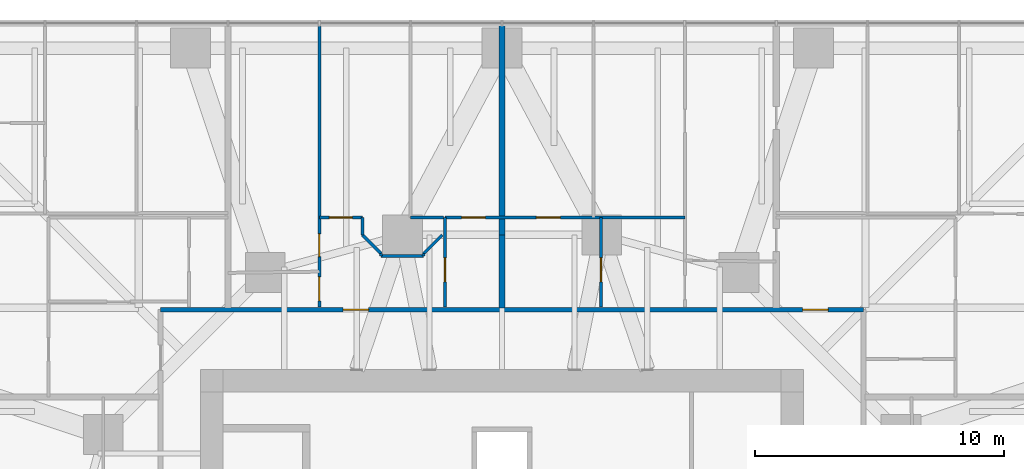
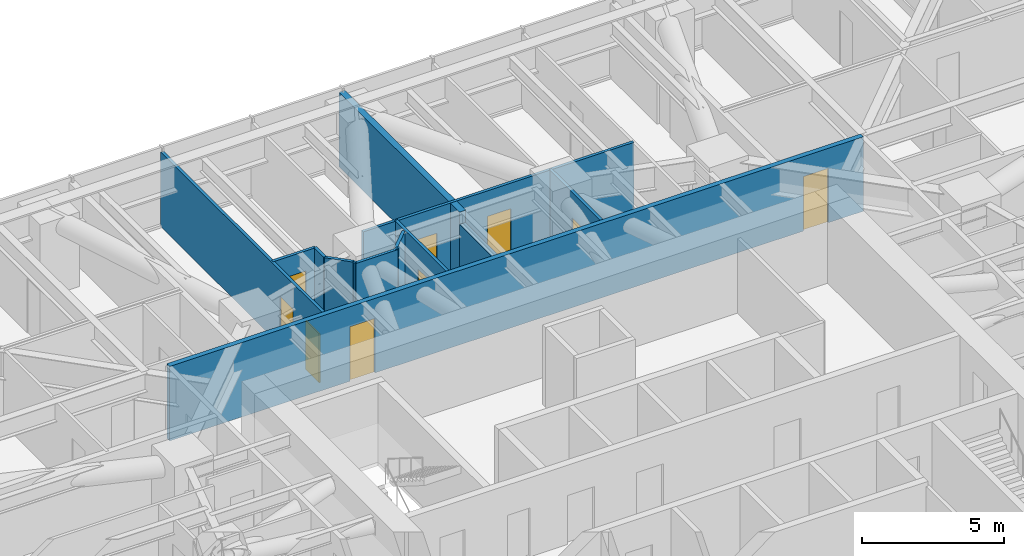
# One storey, part 14 of 17: 15 walls, 9 doors, 9 openings.
"""IFC4 building model written with IfcOpenShell, lengths in metres."""

from ifc_helpers import new_model, si_unit, direction, frame, frame_2d, origin, place, context, subcontext, project, spatial, rectangle, extrude, material, layer, layer_set, type_object, element, fill, save


model = new_model("IFC4")

# Units and contexts
model_context = context("Model", 3, precision=1e-05, world=origin(), true_north=direction((0.0, 1.0)))
body_context = subcontext(model_context, "Body", "Model", "MODEL_VIEW")
ifc_project = project(units=[si_unit("LENGTHUNIT", "METRE"), si_unit("AREAUNIT", "SQUARE_METRE"), si_unit("VOLUMEUNIT", "CUBIC_METRE"), si_unit("PLANEANGLEUNIT", "RADIAN"), si_unit("MASSUNIT", "GRAM", prefix="KILO")], contexts=[model_context])

# Site, building, storey
site_placement = place(None, origin())
site = spatial("IfcSite", under=ifc_project, at=site_placement, CompositionType="ELEMENT")
building_placement = place(site_placement, origin())
building = spatial("IfcBuilding", under=site, at=building_placement, Name="Torsade Residences", CompositionType="ELEMENT")
storey_placement = place(building_placement, frame((0.0, 0.0, 38.800048828125)))
storey = spatial("IfcBuildingStorey", under=building, at=storey_placement, Name="L10", CompositionType="ELEMENT", Elevation=38.800048828125)

# Wall, openings, doors
ifc_material_1 = material(Name="Plasterboard on steel stud", Category="steel")
ifc_layer_1 = layer(ifc_material_1, 0.199951171875)
ifc_layer_set_1 = layer_set([ifc_layer_1], Name="Plasterboard on steel stud")
wall_type_1 = type_object("IfcWallType", Name="CORRIDOR WALL 200", PredefinedType="PARTITIONING", material=ifc_layer_set_1)
wall_1_placement = place(storey_placement, frame((54.5, 44.5, 0.0), z_axis=(0.0, 0.0, 1.0), x_axis=(-1.0, 0.0, 0.0)))
wall_1 = element("IfcWall", 1, at=wall_1_placement, inside=storey, type_object=wall_type_1, Name="Corridor wall L10", PredefinedType="PARTITIONING", context=body_context, shape_type="SweptSolid", body=[
    extrude(rectangle(XDim=28.199951171875, YDim=0.199951171875, at=frame_2d((14.10009765625, 0.0))), origin(), (0.0, 0.0, 1.0), 3.199951171875),
])
opening_1_placement = place(wall_1_placement, frame((19.8525390625, 0.0, 0.0)))
opening_1 = element("IfcOpeningElement", 2, at=opening_1_placement, cuts=wall_1, Name="Opening D01", PredefinedType="OPENING", context=body_context, shape_type="SweptSolid", body=[
    extrude(rectangle(XDim=1.02001953125, YDim=2.340087890625, at=frame_2d((0.510009765625, 1.169921875))), frame((0.0, 0.10986328125, 0.0), z_axis=(0.0, -1.0, 0.0), x_axis=(1.0, 0.0, 0.0)), (0.0, 0.0, 1.0), 0.219970703125),
])
opening_2_placement = place(wall_1_placement, frame((1.4150390625, 0.0, 0.0)))
opening_2 = element("IfcOpeningElement", 3, at=opening_2_placement, cuts=wall_1, Name="Opening D01", PredefinedType="OPENING", context=body_context, shape_type="SweptSolid", body=[
    extrude(rectangle(XDim=1.02001953125, YDim=2.340087890625, at=frame_2d((0.510009765625, 1.169921875))), frame((0.0, 0.10986328125, 0.0), z_axis=(0.0, -1.0, 0.0), x_axis=(1.0, 0.0, 0.0)), (0.0, 0.0, 1.0), 0.219970703125),
])
ifc_material_2 = material(Name="Solid-core timber fire door", Category="wood")
door_type_1 = type_object("IfcDoorType", Name="APARTMENT ENTRY DOOR 1020x2340", OperationType="NOTDEFINED", PredefinedType="DOOR", material=ifc_material_2)
door_1_placement = place(opening_1_placement, origin())
door_1 = element("IfcDoor", 4, at=door_1_placement, inside=storey, type_object=door_type_1, Name="Door Residential corridor to Kitchen and dining", OperationType="SINGLE_SWING_RIGHT", OverallHeight=2.340087890625, OverallWidth=1.02001953125, PredefinedType="DOOR", context=body_context, shape_type="SweptSolid", body=[
    extrude(rectangle(XDim=1.02001953125, YDim=2.340087890625, at=frame_2d((0.510009765625, 1.169921875))), frame((0.0, 0.02490234375, 0.0), z_axis=(0.0, -1.0, 0.0), x_axis=(1.0, 0.0, 0.0)), (0.0, 0.0, 1.0), 0.050048828125),
])
fill(opening_1, door_1)
door_2_placement = place(opening_2_placement, origin())
door_2 = element("IfcDoor", 5, at=door_2_placement, inside=storey, type_object=door_type_1, Name="Door Residential corridor to Kitchen and dining", OperationType="SINGLE_SWING_LEFT", OverallHeight=2.340087890625, OverallWidth=1.02001953125, PredefinedType="DOOR", context=body_context, shape_type="SweptSolid", body=[
    extrude(rectangle(XDim=1.02001953125, YDim=2.340087890625, at=frame_2d((0.510009765625, 1.169921875))), frame((0.0, 0.02490234375, 0.0), z_axis=(0.0, -1.0, 0.0), x_axis=(1.0, 0.0, 0.0)), (0.0, 0.0, 1.0), 0.050048828125),
])
fill(opening_2, door_2)

# Wall, opening, door
ifc_material_3 = material(Name="Plasterboard on steel stud", Category="steel")
ifc_layer_2 = layer(ifc_material_3, 0.1201171875)
ifc_layer_set_2 = layer_set([ifc_layer_2], Name="Plasterboard on steel stud")
wall_type_2 = type_object("IfcWallType", Name="PARTITION 120", PredefinedType="PARTITIONING", material=ifc_layer_set_2)
wall_2_placement = place(storey_placement, frame((43.97119140625, 48.199951171875, 0.0), z_axis=(0.0, 0.0, 1.0), x_axis=(0.0, -1.0, 0.0)))
wall_2 = element("IfcWall", 6, at=wall_2_placement, inside=storey, type_object=wall_type_2, Name="Partition L10", PredefinedType="PARTITIONING", context=body_context, shape_type="SweptSolid", body=[
    extrude(rectangle(XDim=3.599853515625, YDim=0.1201171875, at=frame_2d((1.7998046875, 0.0))), origin(), (0.0, 0.0, 1.0), 3.199951171875),
])
opening_3_placement = place(wall_2_placement, frame((1.6201171875, 0.0, 0.0)))
opening_3 = element("IfcOpeningElement", 7, at=opening_3_placement, cuts=wall_2, Name="Opening D05", PredefinedType="OPENING", context=body_context, shape_type="SweptSolid", body=[
    extrude(rectangle(XDim=0.9599609375, YDim=2.10009765625, at=frame_2d((0.47998046875, 1.050048828125))), frame((0.0, 0.070068359375, 0.0), z_axis=(0.0, -1.0, 0.0), x_axis=(1.0, 0.0, 0.0)), (0.0, 0.0, 1.0), 0.14013671875),
])
ifc_material_4 = material(Name="Hollow-core timber door in a steel cavity frame", Category="steel")
door_type_2 = type_object("IfcDoorType", Name="BATHROOM CAVITY SLIDING DOOR 960", OperationType="SLIDING_TO_LEFT", PredefinedType="DOOR", material=ifc_material_4)
door_3_placement = place(opening_3_placement, origin())
door_3 = element("IfcDoor", 8, at=door_3_placement, inside=storey, type_object=door_type_2, Name="Door Ensuite to Bathroom 2", OperationType="SLIDING_TO_LEFT", OverallHeight=2.10009765625, OverallWidth=0.9599609375, PredefinedType="DOOR", context=body_context, shape_type="SweptSolid", body=[
    extrude(rectangle(XDim=0.9599609375, YDim=2.10009765625, at=frame_2d((0.47998046875, 1.050048828125))), frame((0.0, 0.02490234375, 0.0), z_axis=(0.0, -1.0, 0.0), x_axis=(1.0, 0.0, 0.0)), (0.0, 0.0, 1.0), 0.050048828125),
])
fill(opening_3, door_3)

# Wall, openings, doors
wall_3_placement = place(storey_placement, frame((37.7080078125, 48.199951171875, 0.0), z_axis=(0.0, 0.0, 1.0), x_axis=(1.0, 0.0, 0.0)))
wall_3 = element("IfcWall", 9, at=wall_3_placement, inside=storey, type_object=wall_type_2, Name="Partition L10", PredefinedType="PARTITIONING", context=body_context, shape_type="SweptSolid", body=[
    extrude(rectangle(XDim=9.625244140625, YDim=0.1201171875, at=frame_2d((4.8125, 0.0))), origin(), (0.0, 0.0, 1.0), 3.199951171875),
])
opening_4_placement = place(wall_3_placement, frame((0.666015625, 0.0, 0.0)))
opening_4 = element("IfcOpeningElement", 10, at=opening_4_placement, cuts=wall_3, Name="Opening D05", PredefinedType="OPENING", context=body_context, shape_type="SweptSolid", body=[
    extrude(rectangle(XDim=0.9599609375, YDim=2.10009765625, at=frame_2d((0.47998046875, 1.050048828125))), frame((0.0, 0.070068359375, 0.0), z_axis=(0.0, -1.0, 0.0), x_axis=(1.0, 0.0, 0.0)), (0.0, 0.0, 1.0), 0.14013671875),
])
opening_5_placement = place(wall_3_placement, frame((3.67041015625, 0.0, 0.0)))
opening_5 = element("IfcOpeningElement", 11, at=opening_5_placement, cuts=wall_3, Name="Opening D05", PredefinedType="OPENING", context=body_context, shape_type="SweptSolid", body=[
    extrude(rectangle(XDim=0.9599609375, YDim=2.10009765625, at=frame_2d((0.47998046875, 1.050048828125))), frame((0.0, 0.070068359375, 0.0), z_axis=(0.0, -1.0, 0.0), x_axis=(1.0, 0.0, 0.0)), (0.0, 0.0, 1.0), 0.14013671875),
])
door_4_placement = place(opening_4_placement, origin())
door_4 = element("IfcDoor", 12, at=door_4_placement, inside=storey, type_object=door_type_2, Name="Door Ensuite to Living room", OperationType="SLIDING_TO_LEFT", OverallHeight=2.10009765625, OverallWidth=0.9599609375, PredefinedType="DOOR", context=body_context, shape_type="SweptSolid", body=[
    extrude(rectangle(XDim=0.9599609375, YDim=2.10009765625, at=frame_2d((0.47998046875, 1.050048828125))), frame((0.0, 0.02490234375, 0.0), z_axis=(0.0, -1.0, 0.0), x_axis=(1.0, 0.0, 0.0)), (0.0, 0.0, 1.0), 0.050048828125),
])
fill(opening_4, door_4)
door_5_placement = place(opening_5_placement, origin())
door_5 = element("IfcDoor", 13, at=door_5_placement, inside=storey, type_object=door_type_2, Name="Door Bathroom 2 to Bedroom 1 2", OperationType="SLIDING_TO_LEFT", OverallHeight=2.10009765625, OverallWidth=0.9599609375, PredefinedType="DOOR", context=body_context, shape_type="SweptSolid", body=[
    extrude(rectangle(XDim=0.9599609375, YDim=2.10009765625, at=frame_2d((0.47998046875, 1.050048828125))), frame((0.0, 0.02490234375, 0.0), z_axis=(0.0, -1.0, 0.0), x_axis=(1.0, 0.0, 0.0)), (0.0, 0.0, 1.0), 0.050048828125),
])
fill(opening_5, door_5)

wall_4_placement = place(storey_placement, frame((32.666748046875, 44.60009765625, 0.0), z_axis=(0.0, 0.0, 1.0), x_axis=(0.0, 1.0, 0.0)))
wall_4 = element("IfcWall", 14, at=wall_4_placement, inside=storey, type_object=wall_type_2, Name="Partition L10", PredefinedType="PARTITIONING", context=body_context, shape_type="SweptSolid", body=[
    extrude(rectangle(XDim=11.35986328125, YDim=0.1201171875, at=frame_2d((5.679931640625, 0.0))), origin(), (0.0, 0.0, 1.0), 3.199951171875),
])
opening_6_placement = place(wall_4_placement, frame((2.026611328125, 0.0, 0.0)))
opening_6 = element("IfcOpeningElement", 15, at=opening_6_placement, cuts=wall_4, Name="Opening D02L", PredefinedType="OPENING", context=body_context, shape_type="SweptSolid", body=[
    extrude(rectangle(XDim=0.919921875, YDim=2.10009765625, at=frame_2d((0.4599609375, 1.050048828125))), frame((0.0, 0.070068359375, 0.0), z_axis=(0.0, -1.0, 0.0), x_axis=(1.0, 0.0, 0.0)), (0.0, 0.0, 1.0), 0.14013671875),
])
opening_7_placement = place(wall_4_placement, frame((0.259521484375, 0.0, 0.0)))
opening_7 = element("IfcOpeningElement", 16, at=opening_7_placement, cuts=wall_4, Name="Opening D05", PredefinedType="OPENING", context=body_context, shape_type="SweptSolid", body=[
    extrude(rectangle(XDim=0.9599609375, YDim=2.10009765625, at=frame_2d((0.47998046875, 1.050048828125))), frame((0.0, 0.070068359375, 0.0), z_axis=(0.0, -1.0, 0.0), x_axis=(1.0, 0.0, 0.0)), (0.0, 0.0, 1.0), 0.14013671875),
])
door_6_placement = place(opening_7_placement, origin())
door_6 = element("IfcDoor", 17, at=door_6_placement, inside=storey, type_object=door_type_2, Name="Door Kitchen and dining to Bathroom", OperationType="SLIDING_TO_LEFT", OverallHeight=2.10009765625, OverallWidth=0.9599609375, PredefinedType="DOOR", context=body_context, shape_type="SweptSolid", body=[
    extrude(rectangle(XDim=0.9599609375, YDim=2.10009765625, at=frame_2d((0.47998046875, 1.050048828125))), frame((0.0, 0.02490234375, 0.0), z_axis=(0.0, -1.0, 0.0), x_axis=(1.0, 0.0, 0.0)), (0.0, 0.0, 1.0), 0.050048828125),
])
fill(opening_7, door_6)
ifc_material_5 = material(Name="Hollow-core timber door", Category="wood")
door_type_3 = type_object("IfcDoorType", Name="INTERNAL DOOR 920x2100", OperationType="NOTDEFINED", PredefinedType="DOOR", material=ifc_material_5)
door_7_placement = place(opening_6_placement, origin())
door_7 = element("IfcDoor", 18, at=door_7_placement, inside=storey, type_object=door_type_3, Name="Door Kitchen and dining to Bedroom 1", OperationType="SINGLE_SWING_LEFT", OverallHeight=2.10009765625, OverallWidth=0.919921875, PredefinedType="DOOR", context=body_context, shape_type="SweptSolid", body=[
    extrude(rectangle(XDim=0.919921875, YDim=2.10009765625, at=frame_2d((0.4599609375, 1.050048828125))), frame((0.0, 0.02490234375, 0.0), z_axis=(0.0, -1.0, 0.0), x_axis=(1.0, 0.0, 0.0)), (0.0, 0.0, 1.0), 0.050048828125),
])
fill(opening_6, door_7)

# Wall, opening, door
wall_5_placement = place(storey_placement, frame((37.7080078125, 48.199951171875, 0.0), z_axis=(0.0, 0.0, 1.0), x_axis=(0.0, -1.0, 0.0)))
wall_5 = element("IfcWall", 19, at=wall_5_placement, inside=storey, type_object=wall_type_2, Name="Partition L10", PredefinedType="PARTITIONING", context=body_context, shape_type="SweptSolid", body=[
    extrude(rectangle(XDim=3.599853515625, YDim=0.1201171875, at=frame_2d((1.7998046875, 0.0))), origin(), (0.0, 0.0, 1.0), 3.199951171875),
])
opening_8_placement = place(wall_5_placement, frame((1.6201171875, 0.0, 0.0)))
opening_8 = element("IfcOpeningElement", 20, at=opening_8_placement, cuts=wall_5, Name="Opening D05", PredefinedType="OPENING", context=body_context, shape_type="SweptSolid", body=[
    extrude(rectangle(XDim=0.9599609375, YDim=2.10009765625, at=frame_2d((0.47998046875, 1.050048828125))), frame((0.0, 0.070068359375, 0.0), z_axis=(0.0, -1.0, 0.0), x_axis=(1.0, 0.0, 0.0)), (0.0, 0.0, 1.0), 0.14013671875),
])
door_8_placement = place(opening_8_placement, origin())
door_8 = element("IfcDoor", 21, at=door_8_placement, inside=storey, type_object=door_type_2, Name="Door Kitchen and dining to Ensuite", OperationType="SLIDING_TO_LEFT", OverallHeight=2.10009765625, OverallWidth=0.9599609375, PredefinedType="DOOR", context=body_context, shape_type="SweptSolid", body=[
    extrude(rectangle(XDim=0.9599609375, YDim=2.10009765625, at=frame_2d((0.47998046875, 1.050048828125))), frame((0.0, 0.02490234375, 0.0), z_axis=(0.0, -1.0, 0.0), x_axis=(1.0, 0.0, 0.0)), (0.0, 0.0, 1.0), 0.050048828125),
])
fill(opening_8, door_8)

wall_6_placement = place(storey_placement, frame((32.666748046875, 48.199951171875, 0.0), z_axis=(0.0, 0.0, 1.0), x_axis=(1.0, 0.0, 0.0)))
wall_6 = element("IfcWall", 22, at=wall_6_placement, inside=storey, type_object=wall_type_2, Name="Partition L10", PredefinedType="PARTITIONING", context=body_context, shape_type="SweptSolid", body=[
    extrude(rectangle(XDim=1.733154296875, YDim=0.1201171875, at=frame_2d((0.86669921875, 0.0))), origin(), (0.0, 0.0, 1.0), 3.199951171875),
])
opening_9_placement = place(wall_6_placement, frame((0.40673828125, 0.0, 0.0)))
opening_9 = element("IfcOpeningElement", 23, at=opening_9_placement, cuts=wall_6, Name="Opening D02", PredefinedType="OPENING", context=body_context, shape_type="SweptSolid", body=[
    extrude(rectangle(XDim=0.919921875, YDim=2.340087890625, at=frame_2d((0.4599609375, 1.169921875))), frame((0.0, 0.070068359375, 0.0), z_axis=(0.0, -1.0, 0.0), x_axis=(1.0, 0.0, 0.0)), (0.0, 0.0, 1.0), 0.14013671875),
])
ifc_material_6 = material(Name="Hollow-core timber door", Category="wood")
door_type_4 = type_object("IfcDoorType", Name="INTERNAL DOOR 920x2340", OperationType="NOTDEFINED", PredefinedType="DOOR", material=ifc_material_6)
door_9_placement = place(opening_9_placement, origin())
door_9 = element("IfcDoor", 24, at=door_9_placement, inside=storey, type_object=door_type_4, Name="Door Kitchen and dining to Bedroom 2", OperationType="SINGLE_SWING_LEFT", OverallHeight=2.340087890625, OverallWidth=0.919921875, PredefinedType="DOOR", context=body_context, shape_type="SweptSolid", body=[
    extrude(rectangle(XDim=0.919921875, YDim=2.340087890625, at=frame_2d((0.4599609375, 1.169921875))), frame((0.0, 0.02490234375, 0.0), z_axis=(0.0, -1.0, 0.0), x_axis=(1.0, 0.0, 0.0)), (0.0, 0.0, 1.0), 0.050048828125),
])
fill(opening_9, door_9)

# Walls
wall_7_placement = place(storey_placement, frame((34.39990234375, 48.199951171875, 0.0), z_axis=(0.0, 0.0, 1.0), x_axis=(0.0, -1.0, 0.0)))
element("IfcWall", 25, at=wall_7_placement, inside=storey, type_object=wall_type_2, Name="Partition L10", PredefinedType="PARTITIONING", context=body_context, shape_type="SweptSolid", body=[
    extrude(rectangle(XDim=0.699951171875, YDim=0.1201171875, at=frame_2d((0.35009765625, 0.0))), origin(), (0.0, 0.0, 1.0), 3.199951171875),
])
wall_8_placement = place(storey_placement, frame((34.39990234375, 47.5, 0.0), z_axis=(0.0, 0.0, 1.0), x_axis=(0.707106781187, -0.707106781187, 0.0)))
element("IfcWall", 26, at=wall_8_placement, inside=storey, type_object=wall_type_2, Name="Partition L10", PredefinedType="PARTITIONING", context=body_context, shape_type="SweptSolid", body=[
    extrude(rectangle(XDim=1.060546875, YDim=0.1201171875, at=frame_2d((0.5302734375, 0.0))), origin(), (0.0, 0.0, 1.0), 3.199951171875),
])
wall_9_placement = place(storey_placement, frame((35.14990234375, 46.64990234375, 0.0), z_axis=(0.0, 0.0, 1.0), x_axis=(1.0, 0.0, 0.0)))
element("IfcWall", 27, at=wall_9_placement, inside=storey, type_object=wall_type_2, Name="Partition L10", PredefinedType="PARTITIONING", context=body_context, shape_type="SweptSolid", body=[
    extrude(rectangle(XDim=1.7001953125, YDim=0.1201171875, at=frame_2d((0.85009765625, 0.0))), origin(), (0.0, 0.0, 1.0), 3.199951171875),
])
wall_10_placement = place(storey_placement, frame((36.85009765625, 46.75, 0.0), z_axis=(0.0, 0.0, 1.0), x_axis=(0.707106781187, 0.707106781187, 0.0)))
element("IfcWall", 28, at=wall_10_placement, inside=storey, type_object=wall_type_2, Name="Partition L10", PredefinedType="PARTITIONING", context=body_context, shape_type="SweptSolid", body=[
    extrude(rectangle(XDim=1.060546875, YDim=0.1201171875, at=frame_2d((0.5302734375, 0.0))), origin(), (0.0, 0.0, 1.0), 3.199951171875),
])
wall_11_placement = place(storey_placement, frame((37.64990234375, 48.199951171875, 0.0), z_axis=(0.0, 0.0, 1.0), x_axis=(-1.0, 0.0, 0.0)))
element("IfcWall", 29, at=wall_11_placement, inside=storey, type_object=wall_type_2, Name="Partition L10", PredefinedType="PARTITIONING", context=body_context, shape_type="SweptSolid", body=[
    extrude(rectangle(XDim=1.316650390625, YDim=0.1201171875, at=frame_2d((0.658203125, 0.0))), origin(), (0.0, 0.0, 1.0), 3.199951171875),
])
for number, where, z_axis, x_axis, name in (
    (30, (35.14990234375, 46.64990234375, 0.0), (0.0, 0.0, 1.0), (0.0, 1.0, 0.0), "Partition L10"),
    (31, (36.85009765625, 46.64990234375, 0.0), (0.0, 0.0, 1.0), (0.0, 1.0, 0.0), "Partition L10"),
):
    element("IfcWall", number, at=place(storey_placement, frame(where, z_axis=z_axis, x_axis=x_axis)), inside=storey, type_object=wall_type_2, Name=name, PredefinedType="PARTITIONING", context=body_context, shape_type="SweptSolid", body=[
        extrude(rectangle(XDim=0.10009765625, YDim=0.1201171875, at=frame_2d((0.050048828125, 0.0))), origin(), (0.0, 0.0, 1.0), 3.199951171875),
    ])
ifc_material_7 = material(Name="Masonry-lined stud party wall", Category="masonry")
ifc_layer_3 = layer(ifc_material_7, 0.25)
ifc_layer_set_3 = layer_set([ifc_layer_3], Name="Masonry-lined stud party wall")
wall_type_3 = type_object("IfcWallType", Name="PARTY WALL 250", PredefinedType="PARTITIONING", material=ifc_layer_set_3)
wall_12_placement = place(storey_placement, frame((40.0, 56.0, 0.0), z_axis=(0.0, 0.0, 1.0), x_axis=(0.0, -1.0, 0.0)))
element("IfcWall", 32, at=wall_12_placement, inside=storey, type_object=wall_type_3, Name="Party wall L10", PredefinedType="PARTITIONING", context=body_context, shape_type="SweptSolid", body=[
    extrude(rectangle(XDim=8.5, YDim=0.25, at=frame_2d((4.25, 0.0))), origin(), (0.0, 0.0, 1.0), 3.199951171875),
])
wall_13_placement = place(storey_placement, frame((40.0, 47.5, 0.0), z_axis=(0.0, 0.0, 1.0), x_axis=(0.0, -1.0, 0.0)))
element("IfcWall", 33, at=wall_13_placement, inside=storey, type_object=wall_type_3, Name="Party wall L10", PredefinedType="PARTITIONING", context=body_context, shape_type="SweptSolid", body=[
    extrude(rectangle(XDim=2.93994140625, YDim=0.25, at=frame_2d((1.469970703125, 0.0))), origin(), (0.0, 0.0, 1.0), 2.6708984375),
])

save(model, "model.ifc")
